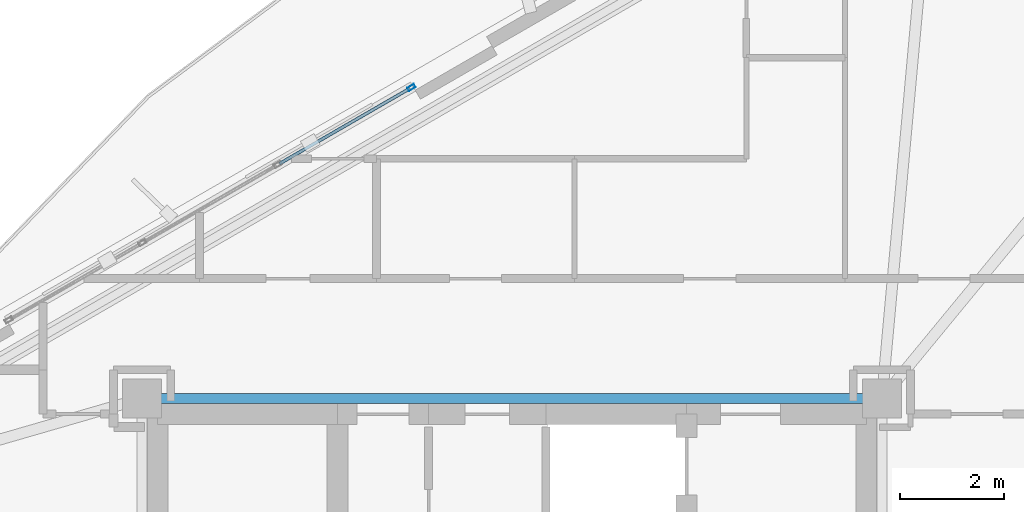
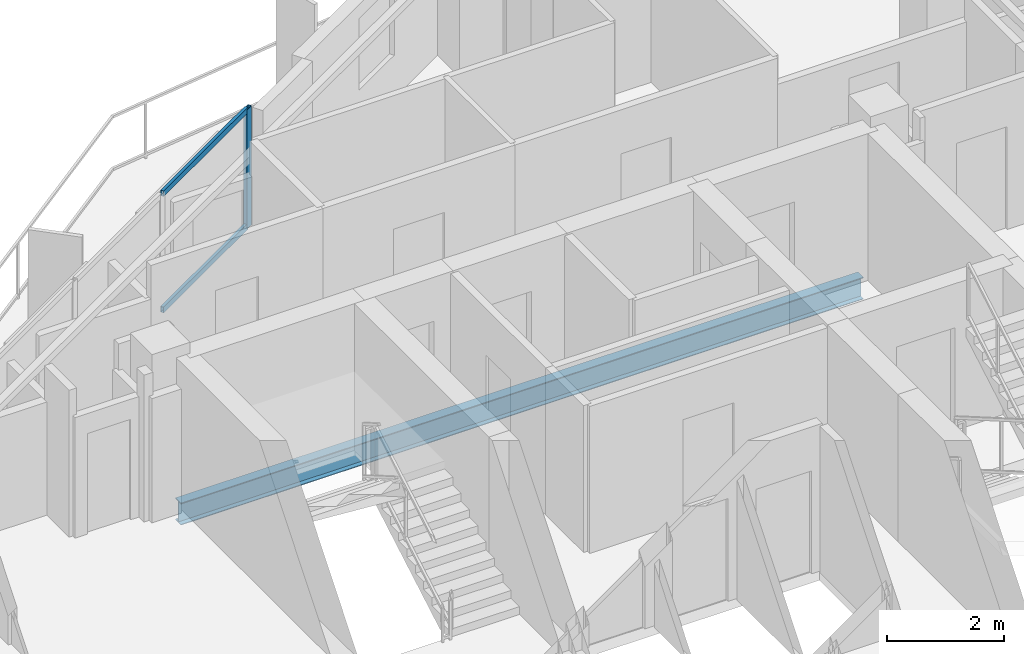
# One storey, part 14 of 21: 3 members, 1 beam, 1 element without a shape of its own.
"""IFC4 building model written with IfcOpenShell, lengths in metres."""

from ifc_helpers import new_model, si_unit, direction, frame, origin, origin_2d, place, context, subcontext, project, spatial, hollow_rectangle, i_section, extrude, material, layer, layer_set, material_profile, profile_set, type_object, element, aggregate, save


model = new_model("IFC4")

# Units and contexts
model_context = context("Model", 3, precision=1e-05, world=origin(), true_north=direction((0.0, 1.0)))
body_context = subcontext(model_context, "Body", "Model", "MODEL_VIEW")
ifc_project = project(units=[si_unit("LENGTHUNIT", "METRE"), si_unit("AREAUNIT", "SQUARE_METRE"), si_unit("VOLUMEUNIT", "CUBIC_METRE"), si_unit("PLANEANGLEUNIT", "RADIAN"), si_unit("MASSUNIT", "GRAM", prefix="KILO")], contexts=[model_context])

# Site, building, storey
site_placement = place(None, origin())
site = spatial("IfcSite", under=ifc_project, at=site_placement, CompositionType="ELEMENT")
building_placement = place(site_placement, origin())
building = spatial("IfcBuilding", under=site, at=building_placement, Name="Mersakhor Tower and Convention Hall", CompositionType="ELEMENT")
storey_placement = place(building_placement, frame((0.0, 0.0, 178.800048828125)))
storey = spatial("IfcBuildingStorey", under=building, at=storey_placement, Name="L49", CompositionType="ELEMENT", Elevation=178.800048828125)

# Beam
ifc_material_1 = material(Name="Steel S355", Category="steel")
ifc_material_profile_1 = material_profile(ifc_material_1, i_section(OverallWidth=0.19140625, OverallDepth=0.4599609375, WebThickness=0.010009765625, FlangeThickness=0.01611328125, at=origin_2d()), Name="UB 457x191x82")
ifc_profile_set_1 = profile_set([ifc_material_profile_1], Name="Steel S355")
beam_type = type_object("IfcBeamType", Name="BM-FB-457", PredefinedType="BEAM", material=ifc_profile_set_1)
beam_placement = place(storey_placement, frame((22.2548828125, 33.050048828125, -0.4599609375), z_axis=(1.0, 0.0, 0.0), x_axis=(0.0, 1.0, 0.0)))
element("IfcBeam", 1, at=beam_placement, inside=storey, type_object=beam_type, Name="L49 Core Ring Tie Beam CRB-2", PredefinedType="BEAM", context=body_context, shape_type="SweptSolid", body=[
    extrude(i_section(OverallWidth=0.19140625, OverallDepth=0.4599609375, WebThickness=0.010009765625, FlangeThickness=0.01611328125, at=origin_2d()), origin(), (0.0, 0.0, 1.0), 13.490234375),
])

# Curtain wall, members
ifc_material_2 = material(Name="Dark solar low-E aluminium curtain wall", Category="aluminium")
ifc_layer = layer(ifc_material_2, 0.169921875)
ifc_layer_set = layer_set([ifc_layer], Name="Dark solar low-E aluminium curtain wall")
curtain_wall_type = type_object("IfcCurtainWallType", Name="CW-SYS-02", PredefinedType="USERDEFINED", material=ifc_layer_set)
curtain_wall_placement = place(storey_placement, origin())
curtain_wall = element("IfcCurtainWall", 2, at=curtain_wall_placement, inside=storey, type_object=curtain_wall_type, Name="L49 Dark-Glass Curtain Wall F1-B2", ObjectType="CURTAIN WALL", PredefinedType="USERDEFINED")
ifc_material_3 = material(Name="Anodised aluminium EN AW-6063 T6", Category="aluminium")
ifc_material_profile_2 = material_profile(ifc_material_3, hollow_rectangle(XDim=0.074951171875, YDim=0.14990234375, WallThickness=0.00634765625, at=origin_2d()), Name="RHS 150x75x6.3")
ifc_profile_set_2 = profile_set([ifc_material_profile_2], Name="Anodised aluminium EN AW-6063 T6")
member_type_1 = type_object("IfcMemberType", Name="CWM-150x75", PredefinedType="MULLION", material=ifc_profile_set_2)
member_1_placement = place(storey_placement, frame((27.06982421875, 39.016845703125, 0.199951171875), z_axis=(0.0, 0.0, 1.0), x_axis=(-0.500007824483, 0.86602088627, 0.0)))
member_1 = element("IfcMember", 3, at=member_1_placement, type_object=member_type_1, Name="CW-02 mullion 4", PredefinedType="MULLION", context=body_context, shape_type="SweptSolid", body=[
    extrude(hollow_rectangle(XDim=0.074951171875, YDim=0.14990234375, WallThickness=0.00634765625, at=origin_2d()), origin(), (0.0, 0.0, 1.0), 2.489990234375),
])
ifc_material_4 = material(Name="Anodised aluminium EN AW-6063 T6", Category="aluminium")
ifc_material_profile_3 = material_profile(ifc_material_4, hollow_rectangle(XDim=0.06005859375, YDim=0.1201171875, WallThickness=0.0048828125, at=origin_2d()), Name="RHS 120x60x5")
ifc_profile_set_3 = profile_set([ifc_material_profile_3], Name="Anodised aluminium EN AW-6063 T6")
member_type_2 = type_object("IfcMemberType", Name="CWT-120x60", PredefinedType="USERDEFINED", material=ifc_profile_set_3)
member_2_placement = place(storey_placement, frame((24.537109375, 37.554443359375, 0.22998046875), z_axis=(0.86601237176, 0.50002257145, 0.0), x_axis=(-0.50002257145, 0.86601237176, 0.0)))
member_2 = element("IfcMember", 4, at=member_2_placement, type_object=member_type_2, Name="CW-02 transom 3.1", ObjectType="TRANSOM", PredefinedType="USERDEFINED", context=body_context, shape_type="SweptSolid", body=[
    extrude(hollow_rectangle(XDim=0.06005859375, YDim=0.1201171875, WallThickness=0.0048828125, at=origin_2d()), origin(), (0.0, 0.0, 1.0), 2.886962890625),
])
member_3_placement = place(storey_placement, frame((24.537109375, 37.554443359375, 2.659912109375), z_axis=(0.86601237176, 0.50002257145, 0.0), x_axis=(-0.50002257145, 0.86601237176, 0.0)))
member_3 = element("IfcMember", 5, at=member_3_placement, type_object=member_type_2, Name="CW-02 transom 3.2", ObjectType="TRANSOM", PredefinedType="USERDEFINED", context=body_context, shape_type="SweptSolid", body=[
    extrude(hollow_rectangle(XDim=0.06005859375, YDim=0.1201171875, WallThickness=0.0048828125, at=origin_2d()), origin(), (0.0, 0.0, 1.0), 2.886962890625),
])
aggregate(curtain_wall, [member_1, member_2, member_3])

save(model, "model.ifc")
